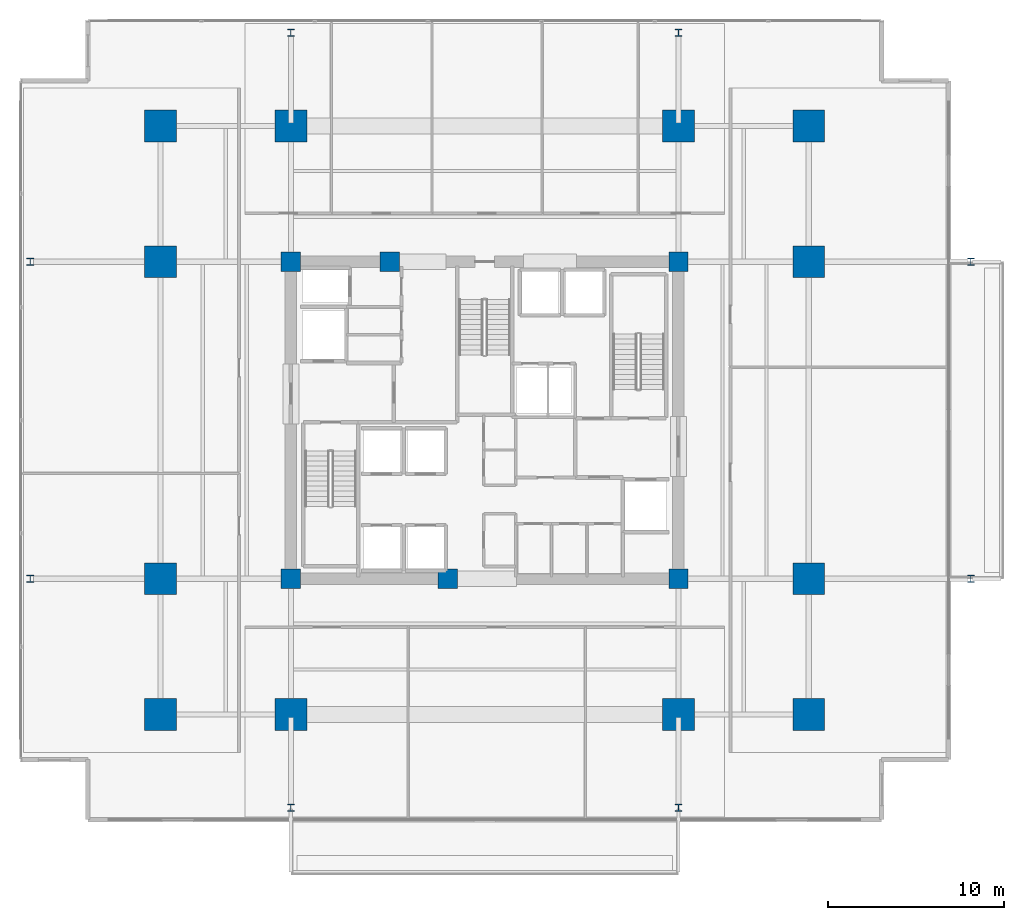
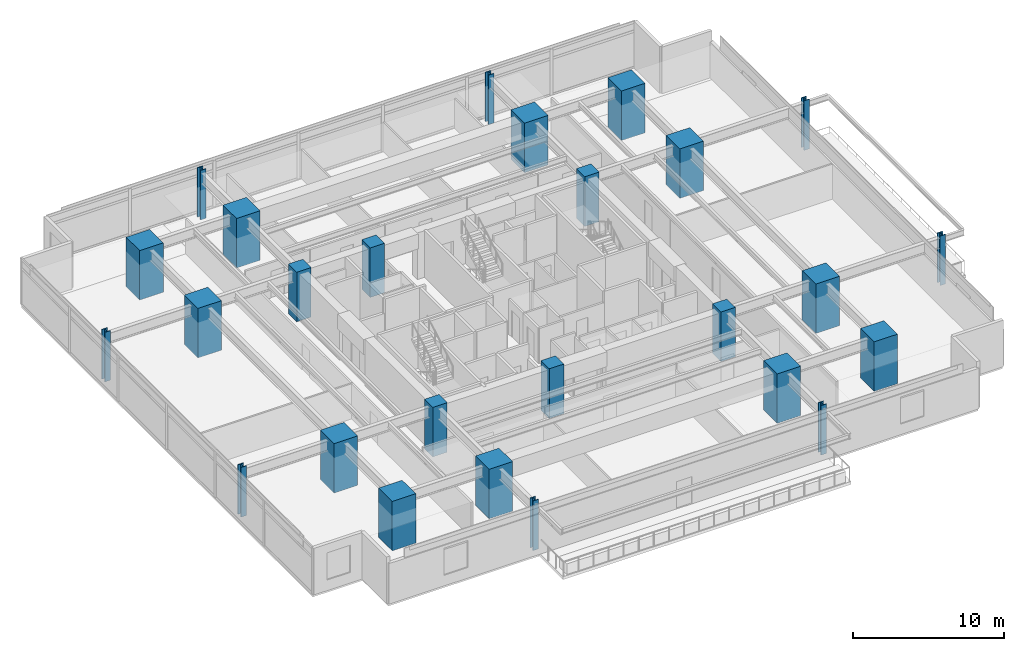
# One storey, part 1 of 21: 26 columns.
"""IFC4 building model written with IfcOpenShell, lengths in metres."""

import ifcopenshell
import ifcopenshell.guid

model = None  # the IFC model being written
_history = None  # IfcOwnerHistory: only IFC2X3 demands one
_inside = {}  # id of a spatial element -> (the spatial element, [elements in it])
_under = {}  # id of a project, library or spatial element -> (it, [spatial elements below it])
_declared = {}  # id of a project -> (the project, [libraries it declares])
_typed = {}  # id of a type object -> (the type object, [elements of that type])
_made_of = {}  # id of a material, layer set ... -> (it, [elements and type objects made of it])


def new_model(schema):
    """Start an empty IFC model of exactly this schema.

    Asked for "IFC4X3", IfcOpenShell would pick the latest addendum, in which some entities
    have other attributes; the version numbers below select the first issue.
    IFC2X3 requires an IfcOwnerHistory on every rooted entity: one is made here for all.
    """
    global model, _history
    if schema == "IFC4X3":
        model = ifcopenshell.file(schema_version=(4, 3, 0, 0))
    else:
        model = ifcopenshell.file(schema=schema)
    _inside.clear()
    _under.clear()
    _declared.clear()
    _typed.clear()
    _made_of.clear()
    _history = None
    if model.schema == "IFC2X3":
        org = make("IfcOrganization", Name="unknown")
        user = make(
            "IfcPersonAndOrganization",
            ThePerson=make("IfcPerson", FamilyName="unknown"),
            TheOrganization=org,
        )
        app = make(
            "IfcApplication",
            ApplicationDeveloper=org,
            Version="unknown",
            ApplicationFullName="unknown",
            ApplicationIdentifier="unknown",
        )
        _history = make(
            "IfcOwnerHistory",
            OwningUser=user,
            OwningApplication=app,
            ChangeAction="ADDED",
            CreationDate=0,
        )
    return model


def make(cls, **values):
    """One entity of the class cls with the attributes given. An attribute that is None is left unset."""
    return model.create_entity(
        cls, **{name: value for name, value in values.items() if value is not None}
    )


def rooted(cls, **values):
    """An entity with a GlobalId (a new one), such as an element, a storey or a relation."""
    return make(cls, GlobalId=ifcopenshell.guid.new(), OwnerHistory=_history, **values)


def si_unit(unit_type, name, prefix=None):
    """IfcSIUnit, for example si_unit("LENGTHUNIT", "METRE", prefix="MILLI")."""
    return make("IfcSIUnit", UnitType=unit_type, Prefix=prefix, Name=name)


def assignment(units):
    """IfcUnitAssignment: the units of a project."""
    return None if units is None else make("IfcUnitAssignment", Units=units)


def point(xyz):
    """IfcCartesianPoint."""
    return None if xyz is None else make("IfcCartesianPoint", Coordinates=xyz)


def direction(xyz):
    """IfcDirection."""
    return None if xyz is None else make("IfcDirection", DirectionRatios=xyz)


def frame(location, z_axis=None, x_axis=None):
    """IfcAxis2Placement3D, a coordinate frame: its origin and axes. An axis left out is left unset."""
    return make(
        "IfcAxis2Placement3D",
        Location=point(location),
        Axis=direction(z_axis),
        RefDirection=direction(x_axis),
    )


def frame_2d(location, x_axis=None):
    """IfcAxis2Placement2D, a coordinate frame in the plane: its origin and x axis."""
    return make(
        "IfcAxis2Placement2D", Location=point(location), RefDirection=direction(x_axis)
    )


def origin():
    """The frame at (0, 0, 0) with its axes left unset."""
    return frame((0.0, 0.0, 0.0))


def origin_2d():
    """The frame at (0, 0) in the plane with its x axis left unset."""
    return frame_2d((0.0, 0.0))


def place(relative_to, where):
    """IfcLocalPlacement: puts the frame where relative to a parent placement (None: the world)."""
    return make(
        "IfcLocalPlacement", PlacementRelTo=relative_to, RelativePlacement=where
    )


def context(
    kind, dimensions, precision=None, world=None, true_north=None, identifier=None
):
    """IfcGeometricRepresentationContext, for example the 3D "Model" context."""
    return make(
        "IfcGeometricRepresentationContext",
        ContextIdentifier=identifier,
        ContextType=kind,
        CoordinateSpaceDimension=dimensions,
        Precision=precision,
        WorldCoordinateSystem=world,
        TrueNorth=true_north,
    )


def subcontext(parent, identifier, kind, view, scale=None):
    """IfcGeometricRepresentationSubContext, for example "Body" below "Model"."""
    return make(
        "IfcGeometricRepresentationSubContext",
        ContextIdentifier=identifier,
        ContextType=kind,
        ParentContext=parent,
        TargetScale=scale,
        TargetView=view,
    )


def project(units=None, contexts=None):
    """IfcProject with its units and contexts."""
    return rooted(
        "IfcProject",
        Name="project",
        RepresentationContexts=contexts,
        UnitsInContext=assignment(units),
    )


def spatial(cls, under=None, at=None, **own):
    """A site, building, storey or space (cls), placed at a placement, below another one or the project."""
    s = rooted(cls, ObjectPlacement=at, **own)
    if under is not None:
        _under.setdefault(under.id(), (under, []))[1].append(s)
    return s


def profile(cls, at=None, kind="AREA", **sizes):
    """A parametric profile (cls). Its sizes go by their IFC names, for example OverallWidth=200.0."""
    return make(cls, ProfileType=kind, Position=at, **sizes)


def rectangle(**sizes):
    """IfcRectangleProfileDef."""
    return profile("IfcRectangleProfileDef", **sizes)


def i_section(**sizes):
    """IfcIShapeProfileDef."""
    return profile("IfcIShapeProfileDef", **sizes)


def extrude(swept, where, along, depth):
    """IfcExtrudedAreaSolid: the profile swept, set in the frame where, extruded along a direction by depth."""
    return make(
        "IfcExtrudedAreaSolid",
        SweptArea=swept,
        Position=where,
        ExtrudedDirection=direction(along),
        Depth=depth,
    )


def shape(context_of_items, identifier, shape_type, items):
    """IfcShapeRepresentation: the items that make up one representation, for example the "Body"."""
    return make(
        "IfcShapeRepresentation",
        ContextOfItems=context_of_items,
        RepresentationIdentifier=identifier,
        RepresentationType=shape_type,
        Items=items,
    )


def material(Name=None, Category=None):
    """IfcMaterial."""
    return make("IfcMaterial", Name=Name, Category=Category)


def material_profile(
    of_material, cross_section, Name=None, Category=None, Priority=None
):
    """IfcMaterialProfile: a cross section and its material."""
    return make(
        "IfcMaterialProfile",
        Name=Name,
        Material=of_material,
        Profile=cross_section,
        Priority=Priority,
        Category=Category,
    )


def profile_set(profiles, Name=None, composite=None):
    """IfcMaterialProfileSet."""
    return make(
        "IfcMaterialProfileSet",
        Name=Name,
        MaterialProfiles=profiles,
        CompositeProfile=composite,
    )


def made_of(thing, what):
    """Note that an element or type object is made of a material, layer set ...; save() writes the relation."""
    if what is not None:
        _made_of.setdefault(what.id(), (what, []))[1].append(thing)
    return thing


def type_object(cls, material=None, **own):
    """A type object (cls), such as IfcWallType, which elements share."""
    return made_of(rooted(cls, **own), material)


def element(
    cls,
    number,
    at=None,
    inside=None,
    cuts=None,
    type_object=None,
    material=None,
    context=None,
    identifier="Body",
    shape_type=None,
    held_by="IfcProductDefinitionShape",
    body=None,
    shapes=None,
    **own,
):
    """One element of the class cls, such as IfcWall. Its Tag is "e" and its number.

    at: its placement. inside: the storey or other place that contains it. cuts: it is an
    opening in that element (IfcRelVoidsElement). A single representation is given by context,
    identifier, shape_type and body (its items); several are given by shapes. held_by: the class
    of the entity that holds the representations. save() writes the other relations.
    """
    e = rooted(cls, Tag="e%d" % number, ObjectPlacement=at, **own)
    if body is not None:
        shapes = [shape(context, identifier, shape_type, body)]
    if shapes is not None:
        e.Representation = make(held_by, Representations=shapes)
    if inside is not None:
        _inside.setdefault(inside.id(), (inside, []))[1].append(e)
    if cuts is not None:
        rooted(
            "IfcRelVoidsElement", RelatingBuildingElement=cuts, RelatedOpeningElement=e
        )
    if type_object is not None:
        _typed.setdefault(type_object.id(), (type_object, []))[1].append(e)
    return made_of(e, material)


def aggregate(whole, parts):
    """IfcRelAggregates: a whole, such as a stair, and the parts it consists of."""
    return rooted("IfcRelAggregates", RelatingObject=whole, RelatedObjects=parts)


def save(model, path):
    """Write the relations noted so far, then the file.

    IfcRelAggregates (storeys below a building ...), IfcRelContainedInSpatialStructure (elements
    in a storey), IfcRelDefinesByType, IfcRelAssociatesMaterial and IfcRelDeclares: one each for
    every whole, place, type object, material and project.
    """
    for whole, parts in _under.values():
        aggregate(whole, parts)
    for where, things in _inside.values():
        rooted(
            "IfcRelContainedInSpatialStructure",
            RelatedElements=things,
            RelatingStructure=where,
        )
    for kind, things in _typed.values():
        rooted("IfcRelDefinesByType", RelatedObjects=things, RelatingType=kind)
    for what, things in _made_of.values():
        rooted("IfcRelAssociatesMaterial", RelatedObjects=things, RelatingMaterial=what)
    for by, libraries in _declared.values():
        rooted("IfcRelDeclares", RelatingContext=by, RelatedDefinitions=libraries)
    model.write(path)


model = new_model("IFC4")

# Units and contexts
model_context = context("Model", 3, precision=1e-05, world=origin(), true_north=direction((0.0, 1.0)))
body_context = subcontext(model_context, "Body", "Model", "MODEL_VIEW")
ifc_project = project(units=[si_unit("LENGTHUNIT", "METRE"), si_unit("AREAUNIT", "SQUARE_METRE"), si_unit("VOLUMEUNIT", "CUBIC_METRE"), si_unit("PLANEANGLEUNIT", "RADIAN"), si_unit("MASSUNIT", "GRAM", prefix="KILO")], contexts=[model_context])

# Site, building, storey
site_placement = place(None, origin())
site = spatial("IfcSite", under=ifc_project, at=site_placement, CompositionType="ELEMENT")
building_placement = place(site_placement, origin())
building = spatial("IfcBuilding", under=site, at=building_placement, Name="Kovane Verandah Tower", CompositionType="ELEMENT")
storey_placement = place(building_placement, frame((0.0, 0.0, 87.60009765625)))
storey = spatial("IfcBuildingStorey", under=building, at=storey_placement, Name="L20", CompositionType="ELEMENT", Elevation=87.60009765625)

# Columns
ifc_material_1 = material(Name="Concrete C80/95", Category="concrete")
ifc_material_profile_1 = material_profile(ifc_material_1, rectangle(XDim=1.800048828125, YDim=1.800048828125, at=origin_2d()), Name="RC1800x1800")
ifc_profile_set_1 = profile_set([ifc_material_profile_1], Name="Concrete C80/95")
column_type_1 = type_object("IfcColumnType", Name="COL-RC1800", PredefinedType="COLUMN", material=ifc_profile_set_1)
for number, where, z_axis, x_axis, name in (
    (1, (29.0, 10.800048828125, 0.0), (0.0, 0.0, 1.0), (1.0, 0.0, 0.0), "L20 Tower Mega-Column MC-S1"),
    (2, (51.0, 10.800048828125, 0.0), (0.0, 0.0, 1.0), (1.0, 0.0, 0.0), "L20 Tower Mega-Column MC-S2"),
    (3, (29.0, 44.199951171875, 0.0), (0.0, 0.0, 1.0), (1.0, 0.0, 0.0), "L20 Tower Mega-Column MC-N1"),
    (4, (51.0, 44.199951171875, 0.0), (0.0, 0.0, 1.0), (1.0, 0.0, 0.0), "L20 Tower Mega-Column MC-N2"),
    (5, (21.60009765625, 18.5, 0.0), (0.0, 0.0, 1.0), (1.0, 0.0, 0.0), "L20 Tower Mega-Column MC-W1"),
    (6, (21.60009765625, 36.5, 0.0), (0.0, 0.0, 1.0), (1.0, 0.0, 0.0), "L20 Tower Mega-Column MC-W2"),
    (7, (58.39990234375, 18.5, 0.0), (0.0, 0.0, 1.0), (1.0, 0.0, 0.0), "L20 Tower Mega-Column MC-E1"),
    (8, (58.39990234375, 36.5, 0.0), (0.0, 0.0, 1.0), (1.0, 0.0, 0.0), "L20 Tower Mega-Column MC-E2"),
    (9, (21.60009765625, 10.800048828125, 0.0), (0.0, 0.0, 1.0), (1.0, 0.0, 0.0), "L20 Tower Mega-Column MC-SW"),
    (10, (58.39990234375, 10.800048828125, 0.0), (0.0, 0.0, 1.0), (1.0, 0.0, 0.0), "L20 Tower Mega-Column MC-SE"),
    (11, (21.60009765625, 44.199951171875, 0.0), (0.0, 0.0, 1.0), (1.0, 0.0, 0.0), "L20 Tower Mega-Column MC-NW"),
    (12, (58.39990234375, 44.199951171875, 0.0), (0.0, 0.0, 1.0), (1.0, 0.0, 0.0), "L20 Tower Mega-Column MC-NE"),
):
    element("IfcColumn", number, at=place(storey_placement, frame(where, z_axis=z_axis, x_axis=x_axis)), inside=storey, type_object=column_type_1, Name=name, PredefinedType="COLUMN", context=body_context, shape_type="SweptSolid", body=[
        extrude(rectangle(XDim=1.800048828125, YDim=1.800048828125, at=origin_2d()), origin(), (0.0, 0.0, 1.0), 4.0),
    ])
ifc_material_2 = material(Name="Steel S460", Category="steel")
ifc_material_profile_2 = material_profile(ifc_material_2, i_section(OverallWidth=0.412109375, OverallDepth=0.4365234375, WebThickness=0.035888671875, FlangeThickness=0.05810546875, FilletRadius=0.01513671875, at=origin_2d()), Name="UC356x406x467")
ifc_profile_set_2 = profile_set([ifc_material_profile_2], Name="Steel S460")
column_type_2 = type_object("IfcColumnType", Name="COL-UC467", PredefinedType="COLUMN", material=ifc_profile_set_2)
for number, where, z_axis, x_axis, name in (
    (13, (14.199951171875, 18.5, 0.0), (0.0, 0.0, 1.0), (1.0, 0.0, 0.0), "L20 Verandah Perimeter Column VC-W1"),
    (14, (14.199951171875, 36.5, 0.0), (0.0, 0.0, 1.0), (1.0, 0.0, 0.0), "L20 Verandah Perimeter Column VC-W2"),
    (15, (67.60009765625, 18.5, 0.0), (0.0, 0.0, 1.0), (1.0, 0.0, 0.0), "L20 Verandah Perimeter Column VC-E1"),
    (16, (67.60009765625, 36.5, 0.0), (0.0, 0.0, 1.0), (1.0, 0.0, 0.0), "L20 Verandah Perimeter Column VC-E2"),
    (17, (29.0, 5.5, 0.0), (0.0, 0.0, 1.0), (1.0, 0.0, 0.0), "L20 Verandah Perimeter Column VC-S1"),
    (18, (51.0, 5.5, 0.0), (0.0, 0.0, 1.0), (1.0, 0.0, 0.0), "L20 Verandah Perimeter Column VC-S2"),
    (19, (29.0, 49.5, 0.0), (0.0, 0.0, 1.0), (1.0, 0.0, 0.0), "L20 Verandah Perimeter Column VC-N1"),
    (20, (51.0, 49.5, 0.0), (0.0, 0.0, 1.0), (1.0, 0.0, 0.0), "L20 Verandah Perimeter Column VC-N2"),
):
    element("IfcColumn", number, at=place(storey_placement, frame(where, z_axis=z_axis, x_axis=x_axis)), inside=storey, type_object=column_type_2, Name=name, PredefinedType="COLUMN", context=body_context, shape_type="SweptSolid", body=[
        extrude(i_section(OverallWidth=0.412109375, OverallDepth=0.4365234375, WebThickness=0.035888671875, FlangeThickness=0.05810546875, FilletRadius=0.01513671875, at=origin_2d()), origin(), (0.0, 0.0, 1.0), 4.0),
    ])
ifc_material_profile_3 = material_profile(ifc_material_1, rectangle(XDim=1.10009765625, YDim=1.10009765625, at=origin_2d()), Name="RC1100x1100")
ifc_profile_set_3 = profile_set([ifc_material_profile_3], Name="Concrete C80/95")
column_type_3 = type_object("IfcColumnType", Name="PIL-RC1100", PredefinedType="PILASTER", material=ifc_profile_set_3)
for number, where, z_axis, x_axis, name in (
    (21, (29.0, 18.5, 0.0), (0.0, 0.0, 1.0), (1.0, 0.0, 0.0), "L20 Core Pilaster CP-SW"),
    (22, (51.0, 18.5, 0.0), (0.0, 0.0, 1.0), (1.0, 0.0, 0.0), "L20 Core Pilaster CP-SE"),
    (23, (29.0, 36.5, 0.0), (0.0, 0.0, 1.0), (1.0, 0.0, 0.0), "L20 Core Pilaster CP-NW"),
    (24, (51.0, 36.5, 0.0), (0.0, 0.0, 1.0), (1.0, 0.0, 0.0), "L20 Core Pilaster CP-NE"),
    (25, (37.89990234375, 18.5, 0.0), (0.0, 0.0, 1.0), (1.0, 0.0, 0.0), "L20 Core Pilaster CP-S"),
    (26, (34.60009765625, 36.5, 0.0), (0.0, 0.0, 1.0), (1.0, 0.0, 0.0), "L20 Core Pilaster CP-N"),
):
    element("IfcColumn", number, at=place(storey_placement, frame(where, z_axis=z_axis, x_axis=x_axis)), inside=storey, type_object=column_type_3, Name=name, PredefinedType="PILASTER", context=body_context, shape_type="SweptSolid", body=[
        extrude(rectangle(XDim=1.10009765625, YDim=1.10009765625, at=origin_2d()), origin(), (0.0, 0.0, 1.0), 4.0),
    ])

save(model, "model.ifc")
